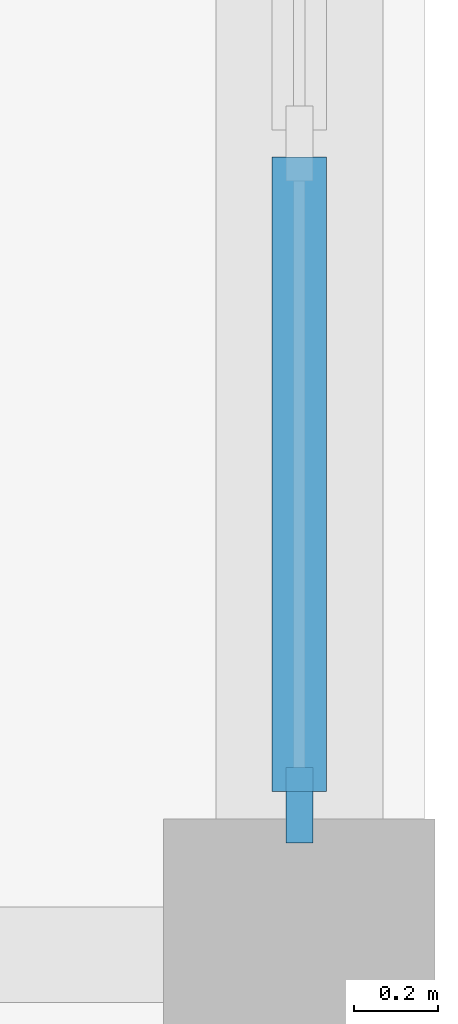
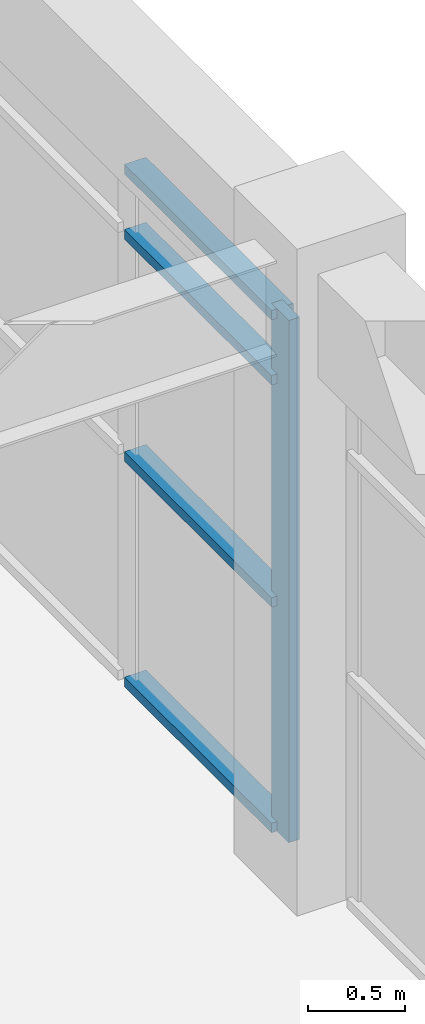
# One storey, part 23 of 66: 5 members, 1 element without a shape of its own.
"""IFC4 building model written with IfcOpenShell, lengths in metres."""

from ifc_helpers import new_model, si_unit, direction, frame, origin, origin_2d, place, context, subcontext, project, spatial, rectangle, extrude, material, layer, layer_set, material_profile, profile_set, type_object, element, aggregate, save


model = new_model("IFC4")

# Units and contexts
model_context = context("Model", 3, precision=1e-05, world=origin(), true_north=direction((0.0, 1.0)))
body_context = subcontext(model_context, "Body", "Model", "MODEL_VIEW")
ifc_project = project(units=[si_unit("LENGTHUNIT", "METRE"), si_unit("AREAUNIT", "SQUARE_METRE"), si_unit("VOLUMEUNIT", "CUBIC_METRE"), si_unit("PLANEANGLEUNIT", "RADIAN"), si_unit("MASSUNIT", "GRAM", prefix="KILO")], contexts=[model_context])

# Site, building, storey
site_placement = place(None, origin())
site = spatial("IfcSite", under=ifc_project, at=site_placement, CompositionType="ELEMENT")
building_placement = place(site_placement, origin())
building = spatial("IfcBuilding", under=site, at=building_placement, Name="Candilejo Ridge Gondola Terminal", CompositionType="ELEMENT")
storey_placement = place(building_placement, frame((0.0, 0.0, 14.39990234375)))
storey = spatial("IfcBuildingStorey", under=building, at=storey_placement, Name="L03", CompositionType="ELEMENT", Elevation=14.39990234375)

# Curtain wall, members
ifc_material_1 = material(Name="Anodised aluminium AA 6063-T6", Category="aluminium")
ifc_layer = layer(ifc_material_1, 0.169921875)
ifc_layer_set = layer_set([ifc_layer], Name="ARC-CW-HALL-3800-485X329")
curtain_wall_type = type_object("IfcCurtainWallType", Name="ARC-CW-HALL-3800-485X329", PredefinedType="NOTDEFINED", material=ifc_layer_set)
curtain_wall_placement = place(storey_placement, origin())
curtain_wall = element("IfcCurtainWall", 1, at=curtain_wall_placement, inside=storey, type_object=curtain_wall_type, Name="Curtain wall V4 L03-161", PredefinedType="NOTDEFINED")
ifc_material_2 = material(Name="Anodised aluminium AA 6063-T6", Category="aluminium")
ifc_material_profile_1 = material_profile(ifc_material_2, rectangle(XDim=0.06494140625, YDim=0.179931640625, at=origin_2d()))
ifc_profile_set_1 = profile_set([ifc_material_profile_1], Name="Anodised aluminium AA 6063-T6")
member_type_1 = type_object("IfcMemberType", Name="ARC-CW-MULLION-180", PredefinedType="MULLION", material=ifc_profile_set_1)
member_1_placement = place(storey_placement, frame((175.300048828125, 37.0576171875, 0.0), z_axis=(0.0, 0.0, 1.0), x_axis=(-1.0, 0.0, 0.0)))
member_1 = element("IfcMember", 2, at=member_1_placement, type_object=member_type_1, Name="CW-48X32 mullion 1", PredefinedType="MULLION", context=body_context, shape_type="SweptSolid", body=[
    extrude(rectangle(XDim=0.06494140625, YDim=0.179931640625, at=origin_2d()), origin(), (0.0, 0.0, 1.0), 3.2900390625),
])
ifc_material_3 = material(Name="Anodised aluminium AA 6063-T6", Category="aluminium")
ifc_material_profile_2 = material_profile(ifc_material_3, rectangle(XDim=0.1298828125, YDim=0.06005859375, at=origin_2d()))
ifc_profile_set_2 = profile_set([ifc_material_profile_2], Name="Anodised aluminium AA 6063-T6")
member_type_2 = type_object("IfcMemberType", Name="ARC-CW-TRANSOM-130", PredefinedType="USERDEFINED", material=ifc_profile_set_2)
member_2_placement = place(storey_placement, frame((175.300048828125, 37.090087890625, 0.030029296875), z_axis=(0.0, 1.0, 0.0), x_axis=(-1.0, 0.0, 0.0)))
member_2 = element("IfcMember", 3, at=member_2_placement, type_object=member_type_2, Name="CW-48X32 transom 1.1", ObjectType="TRANSOM", PredefinedType="USERDEFINED", context=body_context, shape_type="SweptSolid", body=[
    extrude(rectangle(XDim=0.1298828125, YDim=0.06005859375, at=origin_2d()), origin(), (0.0, 0.0, 1.0), 1.51904296875),
])
member_3_placement = place(storey_placement, frame((175.300048828125, 37.090087890625, 1.4501953125), z_axis=(0.0, 1.0, 0.0), x_axis=(-1.0, 0.0, 0.0)))
member_3 = element("IfcMember", 4, at=member_3_placement, type_object=member_type_2, Name="CW-48X32 transom 1.2", ObjectType="TRANSOM", PredefinedType="USERDEFINED", context=body_context, shape_type="SweptSolid", body=[
    extrude(rectangle(XDim=0.1298828125, YDim=0.06005859375, at=origin_2d()), origin(), (0.0, 0.0, 1.0), 1.51904296875),
])
member_4_placement = place(storey_placement, frame((175.300048828125, 37.090087890625, 2.85009765625), z_axis=(0.0, 1.0, 0.0), x_axis=(-1.0, 0.0, 0.0)))
member_4 = element("IfcMember", 5, at=member_4_placement, type_object=member_type_2, Name="CW-48X32 transom 1.3", ObjectType="TRANSOM", PredefinedType="USERDEFINED", context=body_context, shape_type="SweptSolid", body=[
    extrude(rectangle(XDim=0.1298828125, YDim=0.06005859375, at=origin_2d()), origin(), (0.0, 0.0, 1.0), 1.51904296875),
])
member_5_placement = place(storey_placement, frame((175.300048828125, 37.090087890625, 3.260009765625), z_axis=(0.0, 1.0, 0.0), x_axis=(-1.0, 0.0, 0.0)))
member_5 = element("IfcMember", 6, at=member_5_placement, type_object=member_type_2, Name="CW-48X32 transom 1.4", ObjectType="TRANSOM", PredefinedType="USERDEFINED", context=body_context, shape_type="SweptSolid", body=[
    extrude(rectangle(XDim=0.1298828125, YDim=0.06005859375, at=origin_2d()), origin(), (0.0, 0.0, 1.0), 1.51904296875),
])
aggregate(curtain_wall, [member_1, member_2, member_3, member_4, member_5])

save(model, "model.ifc")
